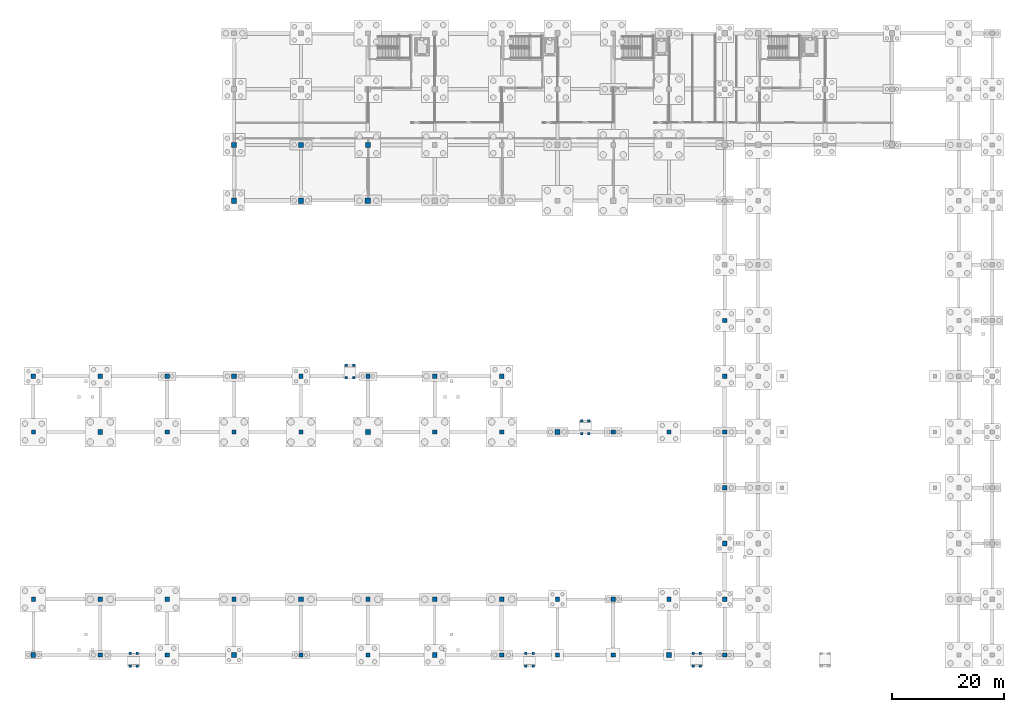
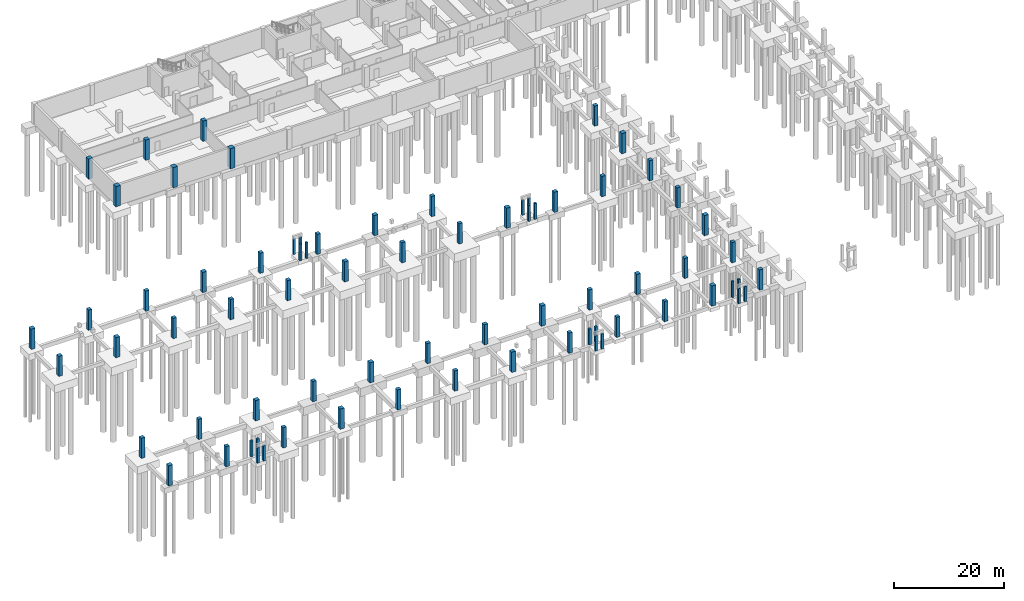
# One storey, part 9 of 19: 74 columns.
"""IFC4 building model written with IfcOpenShell, lengths in metres."""

from ifc_helpers import new_model, si_unit, direction, frame, origin, origin_2d, place, context, subcontext, project, spatial, rectangle, extrude, material, material_profile, profile_set, type_object, element, save


model = new_model("IFC4")

# Units and contexts
model_context = context("Model", 3, precision=1e-05, world=origin(), true_north=direction((0.0, 1.0)))
body_context = subcontext(model_context, "Body", "Model", "MODEL_VIEW")
ifc_project = project(units=[si_unit("LENGTHUNIT", "METRE"), si_unit("AREAUNIT", "SQUARE_METRE"), si_unit("VOLUMEUNIT", "CUBIC_METRE"), si_unit("PLANEANGLEUNIT", "RADIAN"), si_unit("MASSUNIT", "GRAM", prefix="KILO")], contexts=[model_context])

# Site, building, storey
site_placement = place(None, origin())
site = spatial("IfcSite", under=ifc_project, at=site_placement, CompositionType="ELEMENT")
building_placement = place(site_placement, origin())
building = spatial("IfcBuilding", under=site, at=building_placement, Name="Mersad Railyard Sports Hall", CompositionType="ELEMENT")
storey_placement = place(building_placement, frame((0.0, 0.0, -4.5)))
storey = spatial("IfcBuildingStorey", under=building, at=storey_placement, Name="B1", CompositionType="ELEMENT", Elevation=-4.5)

# Columns
ifc_material_1 = material(Name="Concrete C50/60", Category="concrete")
ifc_material_profile_1 = material_profile(ifc_material_1, rectangle(XDim=0.949951171875, YDim=0.949951171875, at=origin_2d()), Name="RC 950x950")
ifc_profile_set_1 = profile_set([ifc_material_profile_1], Name="Concrete C50/60")
column_type_1 = type_object("IfcColumnType", Name="STR-COL-C01", PredefinedType="COLUMN", material=ifc_profile_set_1)
for number, where, z_axis, x_axis, name in (
    (1, (43.0, 85.0, 0.0), (0.0, 0.0, 1.0), (1.0, 0.0, 0.0), "Column C01 B1 (43.0,85.0)"),
    (2, (55.0, 85.0, 0.0), (0.0, 0.0, 1.0), (1.0, 0.0, 0.0), "Column C01 B1 (55.0,85.0)"),
    (3, (67.0, 85.0, 0.0), (0.0, 0.0, 1.0), (1.0, 0.0, 0.0), "Column C01 B1 (67.0,85.0)"),
):
    element("IfcColumn", number, at=place(storey_placement, frame(where, z_axis=z_axis, x_axis=x_axis)), inside=storey, type_object=column_type_1, Name=name, PredefinedType="COLUMN", context=body_context, shape_type="SweptSolid", body=[
        extrude(rectangle(XDim=0.949951171875, YDim=0.949951171875, at=origin_2d()), origin(), (0.0, 0.0, 1.0), 4.5),
    ])
ifc_material_profile_2 = material_profile(ifc_material_1, rectangle(XDim=0.85009765625, YDim=0.85009765625, at=origin_2d()), Name="RC 850x850")
ifc_profile_set_2 = profile_set([ifc_material_profile_2], Name="Concrete C50/60")
column_type_2 = type_object("IfcColumnType", Name="STR-COL-C02", PredefinedType="COLUMN", material=ifc_profile_set_2)
for number, where, z_axis, x_axis, name in (
    (4, (7.0, 3.5, 0.0), (0.0, 0.0, 1.0), (1.0, 0.0, 0.0), "Column C02 B1 (7.0,3.5)"),
    (5, (7.0, 53.5, 0.0), (0.0, 0.0, 1.0), (1.0, 0.0, 0.0), "Column C02 B1 (7.0,53.5)"),
    (6, (19.0, 43.5, 0.0), (0.0, 0.0, 1.0), (1.0, 0.0, 0.0), "Column C02 B1 (19.0,43.5)"),
    (7, (31.0, 13.5, 0.0), (0.0, 0.0, 1.0), (1.0, 0.0, 0.0), "Column C02 B1 (31.0,13.5)"),
    (8, (43.0, 3.5, 0.0), (0.0, 0.0, 1.0), (1.0, 0.0, 0.0), "Column C02 B1 (43.0,3.5)"),
    (9, (43.0, 53.5, 0.0), (0.0, 0.0, 1.0), (1.0, 0.0, 0.0), "Column C02 B1 (43.0,53.5)"),
    (10, (43.0, 95.0, 0.0), (0.0, 0.0, 1.0), (1.0, 0.0, 0.0), "Column C02 B1 (43.0,95.0)"),
    (11, (55.0, 13.5, 0.0), (0.0, 0.0, 1.0), (1.0, 0.0, 0.0), "Column C02 B1 (55.0,13.5)"),
    (12, (55.0, 95.0, 0.0), (0.0, 0.0, 1.0), (1.0, 0.0, 0.0), "Column C02 B1 (55.0,95.0)"),
    (13, (67.0, 43.5, 0.0), (0.0, 0.0, 1.0), (1.0, 0.0, 0.0), "Column C02 B1 (67.0,43.5)"),
    (14, (67.0, 95.0, 0.0), (0.0, 0.0, 1.0), (1.0, 0.0, 0.0), "Column C02 B1 (67.0,95.0)"),
    (15, (79.0, 3.5, 0.0), (0.0, 0.0, 1.0), (1.0, 0.0, 0.0), "Column C02 B1 (79.0,3.5)"),
    (16, (79.0, 53.5, 0.0), (0.0, 0.0, 1.0), (1.0, 0.0, 0.0), "Column C02 B1 (79.0,53.5)"),
    (17, (91.0, 13.5, 0.0), (0.0, 0.0, 1.0), (1.0, 0.0, 0.0), "Column C02 B1 (91.0,13.5)"),
    (18, (101.0, 43.5, 0.0), (0.0, 0.0, 1.0), (1.0, 0.0, 0.0), "Column C02 B1 (101.0,43.5)"),
    (19, (111.0, 13.5, 0.0), (0.0, 0.0, 1.0), (1.0, 0.0, 0.0), "Column C02 B1 (111.0,13.5)"),
    (20, (121.0, 3.5, 0.0), (0.0, 0.0, 1.0), (1.0, 0.0, 0.0), "Column C02 B1 (121.0,3.5)"),
    (21, (131.0, 23.5, 0.0), (0.0, 0.0, 1.0), (1.0, 0.0, 0.0), "Column C02 B1 (131.0,23.5)"),
    (22, (131.0, 53.5, 0.0), (0.0, 0.0, 1.0), (1.0, 0.0, 0.0), "Column C02 B1 (131.0,53.5)"),
):
    element("IfcColumn", number, at=place(storey_placement, frame(where, z_axis=z_axis, x_axis=x_axis)), inside=storey, type_object=column_type_2, Name=name, PredefinedType="COLUMN", context=body_context, shape_type="SweptSolid", body=[
        extrude(rectangle(XDim=0.85009765625, YDim=0.85009765625, at=origin_2d()), origin(), (0.0, 0.0, 1.0), 4.5),
    ])
ifc_material_profile_3 = material_profile(ifc_material_1, rectangle(XDim=0.75, YDim=0.75, at=origin_2d()), Name="RC 750x750")
ifc_profile_set_3 = profile_set([ifc_material_profile_3], Name="Concrete C50/60")
column_type_3 = type_object("IfcColumnType", Name="STR-COL-C03", PredefinedType="COLUMN", material=ifc_profile_set_3)
for number, where, z_axis, x_axis, name in (
    (23, (7.0, 13.5, 0.0), (0.0, 0.0, 1.0), (1.0, 0.0, 0.0), "Column C03 B1 (7.0,13.5)"),
    (24, (7.0, 43.5, 0.0), (0.0, 0.0, 1.0), (1.0, 0.0, 0.0), "Column C03 B1 (7.0,43.5)"),
    (25, (19.0, 3.5, 0.0), (0.0, 0.0, 1.0), (1.0, 0.0, 0.0), "Column C03 B1 (19.0,3.5)"),
    (26, (19.0, 13.5, 0.0), (0.0, 0.0, 1.0), (1.0, 0.0, 0.0), "Column C03 B1 (19.0,13.5)"),
    (27, (19.0, 53.5, 0.0), (0.0, 0.0, 1.0), (1.0, 0.0, 0.0), "Column C03 B1 (19.0,53.5)"),
    (28, (31.0, 3.5, 0.0), (0.0, 0.0, 1.0), (1.0, 0.0, 0.0), "Column C03 B1 (31.0,3.5)"),
    (29, (31.0, 43.5, 0.0), (0.0, 0.0, 1.0), (1.0, 0.0, 0.0), "Column C03 B1 (31.0,43.5)"),
    (30, (31.0, 53.5, 0.0), (0.0, 0.0, 1.0), (1.0, 0.0, 0.0), "Column C03 B1 (31.0,53.5)"),
    (31, (43.0, 13.5, 0.0), (0.0, 0.0, 1.0), (1.0, 0.0, 0.0), "Column C03 B1 (43.0,13.5)"),
    (32, (43.0, 43.5, 0.0), (0.0, 0.0, 1.0), (1.0, 0.0, 0.0), "Column C03 B1 (43.0,43.5)"),
    (33, (55.0, 3.5, 0.0), (0.0, 0.0, 1.0), (1.0, 0.0, 0.0), "Column C03 B1 (55.0,3.5)"),
    (34, (55.0, 43.5, 0.0), (0.0, 0.0, 1.0), (1.0, 0.0, 0.0), "Column C03 B1 (55.0,43.5)"),
    (35, (55.0, 53.5, 0.0), (0.0, 0.0, 1.0), (1.0, 0.0, 0.0), "Column C03 B1 (55.0,53.5)"),
    (36, (67.0, 3.5, 0.0), (0.0, 0.0, 1.0), (1.0, 0.0, 0.0), "Column C03 B1 (67.0,3.5)"),
    (37, (67.0, 13.5, 0.0), (0.0, 0.0, 1.0), (1.0, 0.0, 0.0), "Column C03 B1 (67.0,13.5)"),
    (38, (67.0, 53.5, 0.0), (0.0, 0.0, 1.0), (1.0, 0.0, 0.0), "Column C03 B1 (67.0,53.5)"),
    (39, (79.0, 13.5, 0.0), (0.0, 0.0, 1.0), (1.0, 0.0, 0.0), "Column C03 B1 (79.0,13.5)"),
    (40, (79.0, 43.5, 0.0), (0.0, 0.0, 1.0), (1.0, 0.0, 0.0), "Column C03 B1 (79.0,43.5)"),
    (41, (91.0, 3.5, 0.0), (0.0, 0.0, 1.0), (1.0, 0.0, 0.0), "Column C03 B1 (91.0,3.5)"),
    (42, (91.0, 43.5, 0.0), (0.0, 0.0, 1.0), (1.0, 0.0, 0.0), "Column C03 B1 (91.0,43.5)"),
    (43, (91.0, 53.5, 0.0), (0.0, 0.0, 1.0), (1.0, 0.0, 0.0), "Column C03 B1 (91.0,53.5)"),
    (44, (101.0, 3.5, 0.0), (0.0, 0.0, 1.0), (1.0, 0.0, 0.0), "Column C03 B1 (101.0,3.5)"),
    (45, (101.0, 13.5, 0.0), (0.0, 0.0, 1.0), (1.0, 0.0, 0.0), "Column C03 B1 (101.0,13.5)"),
    (46, (111.0, 3.5, 0.0), (0.0, 0.0, 1.0), (1.0, 0.0, 0.0), "Column C03 B1 (111.0,3.5)"),
    (47, (111.0, 43.5, 0.0), (0.0, 0.0, 1.0), (1.0, 0.0, 0.0), "Column C03 B1 (111.0,43.5)"),
    (48, (121.0, 13.5, 0.0), (0.0, 0.0, 1.0), (1.0, 0.0, 0.0), "Column C03 B1 (121.0,13.5)"),
    (49, (121.0, 43.5, 0.0), (0.0, 0.0, 1.0), (1.0, 0.0, 0.0), "Column C03 B1 (121.0,43.5)"),
    (50, (131.0, 3.5, 0.0), (0.0, 0.0, 1.0), (1.0, 0.0, 0.0), "Column C03 B1 (131.0,3.5)"),
    (51, (131.0, 13.5, 0.0), (0.0, 0.0, 1.0), (1.0, 0.0, 0.0), "Column C03 B1 (131.0,13.5)"),
    (52, (131.0, 33.5, 0.0), (0.0, 0.0, 1.0), (1.0, 0.0, 0.0), "Column C03 B1 (131.0,33.5)"),
    (53, (131.0, 43.5, 0.0), (0.0, 0.0, 1.0), (1.0, 0.0, 0.0), "Column C03 B1 (131.0,43.5)"),
    (54, (131.0, 63.5, 0.0), (0.0, 0.0, 1.0), (1.0, 0.0, 0.0), "Column C03 B1 (131.0,63.5)"),
):
    element("IfcColumn", number, at=place(storey_placement, frame(where, z_axis=z_axis, x_axis=x_axis)), inside=storey, type_object=column_type_3, Name=name, PredefinedType="COLUMN", context=body_context, shape_type="SweptSolid", body=[
        extrude(rectangle(XDim=0.75, YDim=0.75, at=origin_2d()), origin(), (0.0, 0.0, 1.0), 4.5),
    ])
ifc_material_2 = material(Name="Concrete C40/50", Category="concrete")
ifc_material_profile_4 = material_profile(ifc_material_2, rectangle(XDim=0.449951171875, YDim=0.449951171875, at=origin_2d()), Name="RC 450x450")
ifc_profile_set_4 = profile_set([ifc_material_profile_4], Name="Concrete C40/50")
column_type_4 = type_object("IfcColumnType", Name="STR-COL-C06", PredefinedType="COLUMN", material=ifc_profile_set_4)
column_1_placement = place(storey_placement, frame((95.35009765625, 1.5, 0.0), z_axis=(0.0, 0.0, 1.0), x_axis=(1.0, 0.0, 0.0)))
element("IfcColumn", 55, at=column_1_placement, inside=storey, type_object=column_type_4, Name="South arcade west accessible threshold ramp outer pier", PredefinedType="COLUMN", context=body_context, shape_type="SweptSolid", body=[
    extrude(rectangle(XDim=0.449951171875, YDim=0.449951171875, at=origin_2d()), origin(), (0.0, 0.0, 1.0), 3.39990234375),
])
column_2_placement = place(storey_placement, frame((95.35009765625, 3.800048828125, 0.0), z_axis=(0.0, 0.0, 1.0), x_axis=(1.0, 0.0, 0.0)))
element("IfcColumn", 56, at=column_2_placement, inside=storey, type_object=column_type_4, Name="South arcade west accessible threshold ramp inner pier", PredefinedType="COLUMN", context=body_context, shape_type="SweptSolid", body=[
    extrude(rectangle(XDim=0.449951171875, YDim=0.449951171875, at=origin_2d()), origin(), (0.0, 0.0, 1.0), 3.550048828125),
])
column_3_placement = place(storey_placement, frame((96.64990234375, 1.5, 0.0), z_axis=(0.0, 0.0, 1.0), x_axis=(1.0, 0.0, 0.0)))
element("IfcColumn", 57, at=column_3_placement, inside=storey, type_object=column_type_4, Name="South arcade west accessible threshold ramp outer pier", PredefinedType="COLUMN", context=body_context, shape_type="SweptSolid", body=[
    extrude(rectangle(XDim=0.449951171875, YDim=0.449951171875, at=origin_2d()), origin(), (0.0, 0.0, 1.0), 3.39990234375),
])
column_4_placement = place(storey_placement, frame((96.64990234375, 3.800048828125, 0.0), z_axis=(0.0, 0.0, 1.0), x_axis=(1.0, 0.0, 0.0)))
element("IfcColumn", 58, at=column_4_placement, inside=storey, type_object=column_type_4, Name="South arcade west accessible threshold ramp inner pier", PredefinedType="COLUMN", context=body_context, shape_type="SweptSolid", body=[
    extrude(rectangle(XDim=0.449951171875, YDim=0.449951171875, at=origin_2d()), origin(), (0.0, 0.0, 1.0), 3.550048828125),
])
column_5_placement = place(storey_placement, frame((125.35009765625, 1.5, 0.0), z_axis=(0.0, 0.0, 1.0), x_axis=(1.0, 0.0, 0.0)))
element("IfcColumn", 59, at=column_5_placement, inside=storey, type_object=column_type_4, Name="South arcade east accessible threshold ramp outer pier", PredefinedType="COLUMN", context=body_context, shape_type="SweptSolid", body=[
    extrude(rectangle(XDim=0.449951171875, YDim=0.449951171875, at=origin_2d()), origin(), (0.0, 0.0, 1.0), 3.39990234375),
])
column_6_placement = place(storey_placement, frame((125.35009765625, 3.800048828125, 0.0), z_axis=(0.0, 0.0, 1.0), x_axis=(1.0, 0.0, 0.0)))
element("IfcColumn", 60, at=column_6_placement, inside=storey, type_object=column_type_4, Name="South arcade east accessible threshold ramp inner pier", PredefinedType="COLUMN", context=body_context, shape_type="SweptSolid", body=[
    extrude(rectangle(XDim=0.449951171875, YDim=0.449951171875, at=origin_2d()), origin(), (0.0, 0.0, 1.0), 3.550048828125),
])
column_7_placement = place(storey_placement, frame((126.64990234375, 1.5, 0.0), z_axis=(0.0, 0.0, 1.0), x_axis=(1.0, 0.0, 0.0)))
element("IfcColumn", 61, at=column_7_placement, inside=storey, type_object=column_type_4, Name="South arcade east accessible threshold ramp outer pier", PredefinedType="COLUMN", context=body_context, shape_type="SweptSolid", body=[
    extrude(rectangle(XDim=0.449951171875, YDim=0.449951171875, at=origin_2d()), origin(), (0.0, 0.0, 1.0), 3.39990234375),
])
column_8_placement = place(storey_placement, frame((126.64990234375, 3.800048828125, 0.0), z_axis=(0.0, 0.0, 1.0), x_axis=(1.0, 0.0, 0.0)))
element("IfcColumn", 62, at=column_8_placement, inside=storey, type_object=column_type_4, Name="South arcade east accessible threshold ramp inner pier", PredefinedType="COLUMN", context=body_context, shape_type="SweptSolid", body=[
    extrude(rectangle(XDim=0.449951171875, YDim=0.449951171875, at=origin_2d()), origin(), (0.0, 0.0, 1.0), 3.550048828125),
])
column_9_placement = place(storey_placement, frame((24.35009765625, 1.5, 0.0), z_axis=(0.0, 0.0, 1.0), x_axis=(1.0, 0.0, 0.0)))
element("IfcColumn", 63, at=column_9_placement, inside=storey, type_object=column_type_4, Name="Plinth hall south accessible ramp outer pier", PredefinedType="COLUMN", context=body_context, shape_type="SweptSolid", body=[
    extrude(rectangle(XDim=0.449951171875, YDim=0.449951171875, at=origin_2d()), origin(), (0.0, 0.0, 1.0), 3.39990234375),
])
column_10_placement = place(storey_placement, frame((24.35009765625, 3.800048828125, 0.0), z_axis=(0.0, 0.0, 1.0), x_axis=(1.0, 0.0, 0.0)))
element("IfcColumn", 64, at=column_10_placement, inside=storey, type_object=column_type_4, Name="Plinth hall south accessible ramp inner pier", PredefinedType="COLUMN", context=body_context, shape_type="SweptSolid", body=[
    extrude(rectangle(XDim=0.449951171875, YDim=0.449951171875, at=origin_2d()), origin(), (0.0, 0.0, 1.0), 3.550048828125),
])
column_11_placement = place(storey_placement, frame((25.64990234375, 1.5, 0.0), z_axis=(0.0, 0.0, 1.0), x_axis=(1.0, 0.0, 0.0)))
element("IfcColumn", 65, at=column_11_placement, inside=storey, type_object=column_type_4, Name="Plinth hall south accessible ramp outer pier", PredefinedType="COLUMN", context=body_context, shape_type="SweptSolid", body=[
    extrude(rectangle(XDim=0.449951171875, YDim=0.449951171875, at=origin_2d()), origin(), (0.0, 0.0, 1.0), 3.39990234375),
])
column_12_placement = place(storey_placement, frame((25.64990234375, 3.800048828125, 0.0), z_axis=(0.0, 0.0, 1.0), x_axis=(1.0, 0.0, 0.0)))
element("IfcColumn", 66, at=column_12_placement, inside=storey, type_object=column_type_4, Name="Plinth hall south accessible ramp inner pier", PredefinedType="COLUMN", context=body_context, shape_type="SweptSolid", body=[
    extrude(rectangle(XDim=0.449951171875, YDim=0.449951171875, at=origin_2d()), origin(), (0.0, 0.0, 1.0), 3.550048828125),
])
column_13_placement = place(storey_placement, frame((63.14990234375, 55.5, 0.0), z_axis=(0.0, 0.0, 1.0), x_axis=(1.0, 0.0, 0.0)))
element("IfcColumn", 67, at=column_13_placement, inside=storey, type_object=column_type_4, Name="Courtyard west accessible ramp outer pier", PredefinedType="COLUMN", context=body_context, shape_type="SweptSolid", body=[
    extrude(rectangle(XDim=0.449951171875, YDim=0.449951171875, at=origin_2d()), origin(), (0.0, 0.0, 1.0), 3.39990234375),
])
column_14_placement = place(storey_placement, frame((63.14990234375, 53.199951171875, 0.0), z_axis=(0.0, 0.0, 1.0), x_axis=(1.0, 0.0, 0.0)))
element("IfcColumn", 68, at=column_14_placement, inside=storey, type_object=column_type_4, Name="Courtyard west accessible ramp inner pier", PredefinedType="COLUMN", context=body_context, shape_type="SweptSolid", body=[
    extrude(rectangle(XDim=0.449951171875, YDim=0.449951171875, at=origin_2d()), origin(), (0.0, 0.0, 1.0), 3.550048828125),
])
column_15_placement = place(storey_placement, frame((64.449951171875, 55.5, 0.0), z_axis=(0.0, 0.0, 1.0), x_axis=(1.0, 0.0, 0.0)))
element("IfcColumn", 69, at=column_15_placement, inside=storey, type_object=column_type_4, Name="Courtyard west accessible ramp outer pier", PredefinedType="COLUMN", context=body_context, shape_type="SweptSolid", body=[
    extrude(rectangle(XDim=0.449951171875, YDim=0.449951171875, at=origin_2d()), origin(), (0.0, 0.0, 1.0), 3.39990234375),
])
column_16_placement = place(storey_placement, frame((64.449951171875, 53.199951171875, 0.0), z_axis=(0.0, 0.0, 1.0), x_axis=(1.0, 0.0, 0.0)))
element("IfcColumn", 70, at=column_16_placement, inside=storey, type_object=column_type_4, Name="Courtyard west accessible ramp inner pier", PredefinedType="COLUMN", context=body_context, shape_type="SweptSolid", body=[
    extrude(rectangle(XDim=0.449951171875, YDim=0.449951171875, at=origin_2d()), origin(), (0.0, 0.0, 1.0), 3.550048828125),
])
column_17_placement = place(storey_placement, frame((105.35009765625, 45.5, 0.0), z_axis=(0.0, 0.0, 1.0), x_axis=(1.0, 0.0, 0.0)))
element("IfcColumn", 71, at=column_17_placement, inside=storey, type_object=column_type_4, Name="Courtyard foyer accessible ramp outer pier", PredefinedType="COLUMN", context=body_context, shape_type="SweptSolid", body=[
    extrude(rectangle(XDim=0.449951171875, YDim=0.449951171875, at=origin_2d()), origin(), (0.0, 0.0, 1.0), 3.39990234375),
])
column_18_placement = place(storey_placement, frame((105.35009765625, 43.199951171875, 0.0), z_axis=(0.0, 0.0, 1.0), x_axis=(1.0, 0.0, 0.0)))
element("IfcColumn", 72, at=column_18_placement, inside=storey, type_object=column_type_4, Name="Courtyard foyer accessible ramp inner pier", PredefinedType="COLUMN", context=body_context, shape_type="SweptSolid", body=[
    extrude(rectangle(XDim=0.449951171875, YDim=0.449951171875, at=origin_2d()), origin(), (0.0, 0.0, 1.0), 3.550048828125),
])
column_19_placement = place(storey_placement, frame((106.64990234375, 45.5, 0.0), z_axis=(0.0, 0.0, 1.0), x_axis=(1.0, 0.0, 0.0)))
element("IfcColumn", 73, at=column_19_placement, inside=storey, type_object=column_type_4, Name="Courtyard foyer accessible ramp outer pier", PredefinedType="COLUMN", context=body_context, shape_type="SweptSolid", body=[
    extrude(rectangle(XDim=0.449951171875, YDim=0.449951171875, at=origin_2d()), origin(), (0.0, 0.0, 1.0), 3.39990234375),
])
column_20_placement = place(storey_placement, frame((106.64990234375, 43.199951171875, 0.0), z_axis=(0.0, 0.0, 1.0), x_axis=(1.0, 0.0, 0.0)))
element("IfcColumn", 74, at=column_20_placement, inside=storey, type_object=column_type_4, Name="Courtyard foyer accessible ramp inner pier", PredefinedType="COLUMN", context=body_context, shape_type="SweptSolid", body=[
    extrude(rectangle(XDim=0.449951171875, YDim=0.449951171875, at=origin_2d()), origin(), (0.0, 0.0, 1.0), 3.550048828125),
])

save(model, "model.ifc")
